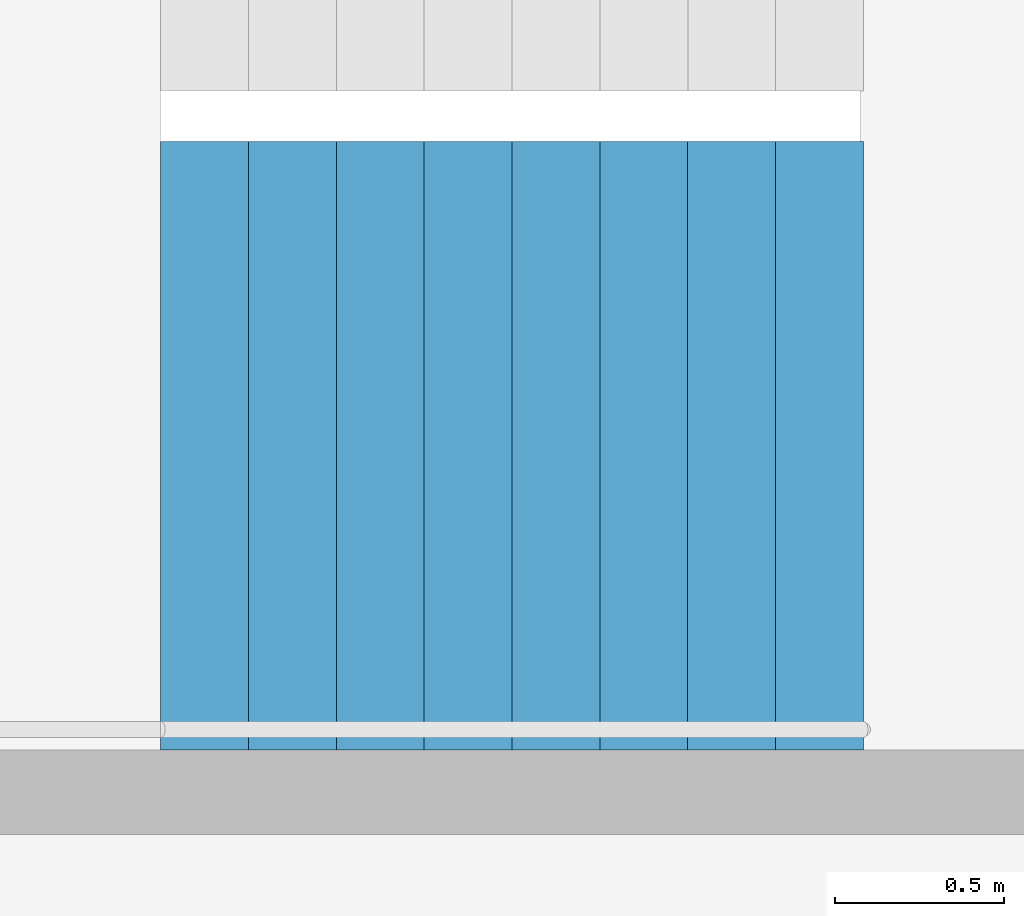
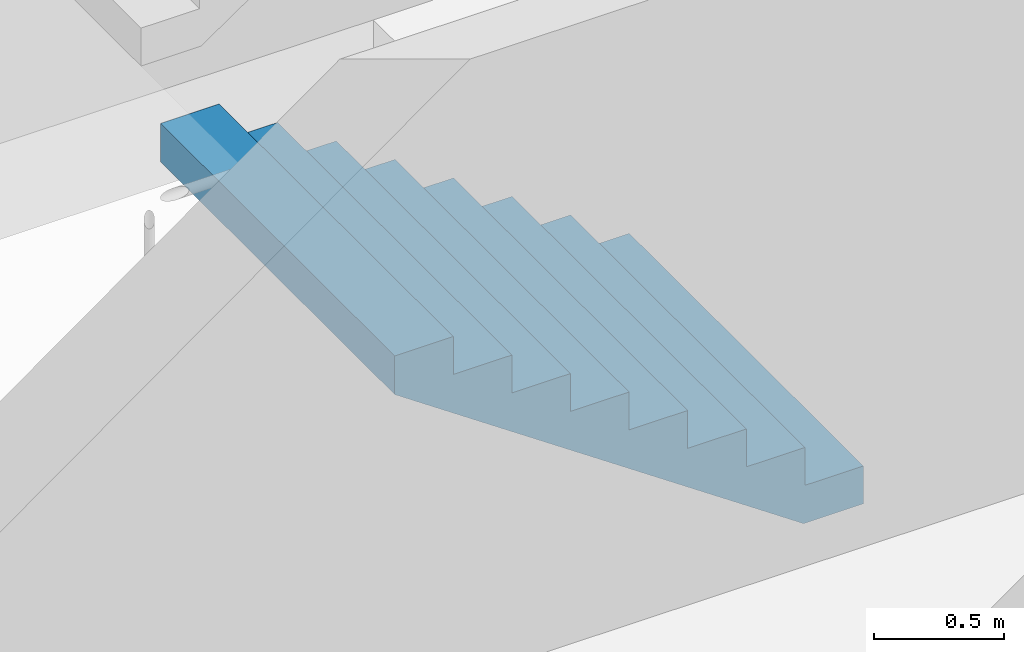
# One storey, part 24 of 26: 1 stair flight, 1 element without a shape of its own.
"""IFC4 building model written with IfcOpenShell, lengths in metres."""

from ifc_helpers import new_model, si_unit, direction, frame, origin, place, context, subcontext, project, spatial, triangles, material, type_object, element, aggregate, save


model = new_model("IFC4")

# Units and contexts
model_context = context("Model", 3, precision=1e-05, world=origin(), true_north=direction((0.0, 1.0)))
body_context = subcontext(model_context, "Body", "Model", "MODEL_VIEW")
ifc_project = project(units=[si_unit("LENGTHUNIT", "METRE"), si_unit("AREAUNIT", "SQUARE_METRE"), si_unit("VOLUMEUNIT", "CUBIC_METRE"), si_unit("PLANEANGLEUNIT", "RADIAN"), si_unit("MASSUNIT", "GRAM", prefix="KILO")], contexts=[model_context])

# Site, building, storey
site_placement = place(None, origin())
site = spatial("IfcSite", under=ifc_project, at=site_placement, CompositionType="ELEMENT")
building_placement = place(site_placement, origin())
building = spatial("IfcBuilding", under=site, at=building_placement, Name="Hakoniwa Tower and Hamabe Station Hall", CompositionType="ELEMENT")
storey_placement = place(building_placement, frame((0.0, 0.0, 172.60009765625)))
storey = spatial("IfcBuildingStorey", under=building, at=storey_placement, Name="L49", CompositionType="ELEMENT", Elevation=172.60009765625)

# Stair, stair flight
ifc_material_1 = material(Name="Concrete C40", Category="concrete")
stair_type = type_object("IfcStairType", Name="ESCAPE STAIR 1800", PredefinedType="HALF_TURN_STAIR", material=ifc_material_1)
stair_placement = place(storey_placement, origin())
stair = element("IfcStair", 1, at=stair_placement, inside=storey, type_object=stair_type, Name="Escape stair ST-3 L49", PredefinedType="HALF_TURN_STAIR")
ifc_material_2 = material(Name="Concrete C40", Category="concrete")
stair_flight_type = type_object("IfcStairFlightType", Name="STAIR FLIGHT 1800", PredefinedType="STRAIGHT", material=ifc_material_2)
stair_flight_placement = place(storey_placement, frame((24.39990234375, 4.64990234375, 0.0), z_axis=(0.0, 0.0, 1.0), x_axis=(-1.0, 0.0, 0.0)))
stair_flight = element("IfcStairFlight", 2, at=stair_flight_placement, type_object=stair_flight_type, Name="ST-3 flight 1", NumberOfRisers=9, NumberOfTreads=8, PredefinedType="STRAIGHT", RiserHeight=0.177777778, TreadLength=0.26, context=body_context, shape_type="Tessellation", body=[
    triangles([(0.0, 0.89990234375, 0.0), (0.260009765625, 0.89990234375, 0.0), (0.265625, 0.89990234375, 0.0), (0.52001953125, 0.89990234375, 0.174072265625), (0.780029296875, 0.89990234375, 0.351806640625), (1.0400390625, 0.89990234375, 0.529541015625), (1.300048828125, 0.89990234375, 0.707275390625), (1.56005859375, 0.89990234375, 0.885009765625), (1.820068359375, 0.89990234375, 1.062744140625), (2.080078125, 0.89990234375, 1.24072265625), (2.080078125, 0.89990234375, 1.422119140625), (1.820068359375, 0.89990234375, 1.422119140625), (1.820068359375, 0.89990234375, 1.244384765625), (1.56005859375, 0.89990234375, 1.244384765625), (1.56005859375, 0.89990234375, 1.066650390625), (1.300048828125, 0.89990234375, 1.066650390625), (1.300048828125, 0.89990234375, 0.888916015625), (1.0400390625, 0.89990234375, 0.888916015625), (1.0400390625, 0.89990234375, 0.711181640625), (0.780029296875, 0.89990234375, 0.711181640625), (0.780029296875, 0.89990234375, 0.533447265625), (0.52001953125, 0.89990234375, 0.533447265625), (0.52001953125, 0.89990234375, 0.35546875), (0.265625, 0.89990234375, 0.35546875), (0.260009765625, 0.89990234375, 0.35546875), (0.260009765625, 0.89990234375, 0.177734375), (0.0, 0.89990234375, 0.177734375), (0.0, 0.06005859375, 0.0), (0.260009765625, 0.06005859375, 0.0), (0.265625, 0.06005859375, 0.0), (0.52001953125, 0.06005859375, 0.174072265625), (0.780029296875, 0.06005859375, 0.351806640625), (1.0400390625, 0.06005859375, 0.529541015625), (1.300048828125, 0.06005859375, 0.707275390625), (1.56005859375, 0.06005859375, 0.885009765625), (1.820068359375, 0.06005859375, 1.062744140625), (2.080078125, 0.06005859375, 1.24072265625), (2.080078125, 0.06005859375, 1.422119140625), (1.820068359375, 0.06005859375, 1.422119140625), (1.820068359375, 0.06005859375, 1.244384765625), (1.56005859375, 0.06005859375, 1.244384765625), (1.56005859375, 0.06005859375, 1.066650390625), (1.300048828125, 0.06005859375, 1.066650390625), (1.300048828125, 0.06005859375, 0.888916015625), (1.0400390625, 0.06005859375, 0.888916015625), (1.0400390625, 0.06005859375, 0.711181640625), (0.780029296875, 0.06005859375, 0.711181640625), (0.780029296875, 0.06005859375, 0.533447265625), (0.52001953125, 0.06005859375, 0.533447265625), (0.52001953125, 0.06005859375, 0.35546875), (0.265625, 0.06005859375, 0.35546875), (0.260009765625, 0.06005859375, 0.35546875), (0.260009765625, 0.06005859375, 0.177734375), (0.0, 0.06005859375, 0.177734375), (0.0, 0.04296875, 0.0), (0.260009765625, 0.04296875, 0.0), (0.265625, 0.04296875, 0.0), (0.52001953125, 0.04296875, 0.174072265625), (0.780029296875, 0.04296875, 0.351806640625), (1.0400390625, 0.04296875, 0.529541015625), (1.300048828125, 0.04296875, 0.707275390625), (1.56005859375, 0.04296875, 0.885009765625), (1.820068359375, 0.04296875, 1.062744140625), (2.080078125, 0.04296875, 1.24072265625), (2.080078125, 0.04296875, 1.422119140625), (1.820068359375, 0.04296875, 1.422119140625), (1.820068359375, 0.04296875, 1.244384765625), (1.56005859375, 0.04296875, 1.244384765625), (1.56005859375, 0.04296875, 1.066650390625), (1.300048828125, 0.04296875, 1.066650390625), (1.300048828125, 0.04296875, 0.888916015625), (1.0400390625, 0.04296875, 0.888916015625), (1.0400390625, 0.04296875, 0.711181640625), (0.780029296875, 0.04296875, 0.711181640625), (0.780029296875, 0.04296875, 0.533447265625), (0.52001953125, 0.04296875, 0.533447265625), (0.52001953125, 0.04296875, 0.35546875), (0.265625, 0.04296875, 0.35546875), (0.260009765625, 0.04296875, 0.35546875), (0.260009765625, 0.04296875, 0.177734375), (0.0, 0.04296875, 0.177734375), (0.0, 0.025634765625, 0.0), (0.260009765625, 0.025634765625, 0.0), (0.265625, 0.025634765625, 0.0), (0.52001953125, 0.025634765625, 0.174072265625), (0.780029296875, 0.025634765625, 0.351806640625), (1.0400390625, 0.025634765625, 0.529541015625), (1.300048828125, 0.025634765625, 0.707275390625), (1.56005859375, 0.025634765625, 0.885009765625), (1.820068359375, 0.025634765625, 1.062744140625), (2.080078125, 0.025634765625, 1.24072265625), (2.080078125, 0.025634765625, 1.422119140625), (1.820068359375, 0.025634765625, 1.422119140625), (1.820068359375, 0.025634765625, 1.244384765625), (1.56005859375, 0.025634765625, 1.244384765625), (1.56005859375, 0.025634765625, 1.066650390625), (1.300048828125, 0.025634765625, 1.066650390625), (1.300048828125, 0.025634765625, 0.888916015625), (1.0400390625, 0.025634765625, 0.888916015625), (1.0400390625, 0.025634765625, 0.711181640625), (0.780029296875, 0.025634765625, 0.711181640625), (0.780029296875, 0.025634765625, 0.533447265625), (0.52001953125, 0.025634765625, 0.533447265625), (0.52001953125, 0.025634765625, 0.35546875), (0.265625, 0.025634765625, 0.35546875), (0.260009765625, 0.025634765625, 0.35546875), (0.260009765625, 0.025634765625, 0.177734375), (0.0, 0.025634765625, 0.177734375), (0.0, 0.008544921875, 0.0), (0.260009765625, 0.008544921875, 0.0), (0.265625, 0.008544921875, 0.0), (0.52001953125, 0.008544921875, 0.174072265625), (0.780029296875, 0.008544921875, 0.351806640625), (1.0400390625, 0.008544921875, 0.529541015625), (1.300048828125, 0.008544921875, 0.707275390625), (1.56005859375, 0.008544921875, 0.885009765625), (1.820068359375, 0.008544921875, 1.062744140625), (2.080078125, 0.008544921875, 1.24072265625), (2.080078125, 0.008544921875, 1.422119140625), (1.820068359375, 0.008544921875, 1.422119140625), (1.820068359375, 0.008544921875, 1.244384765625), (1.56005859375, 0.008544921875, 1.244384765625), (1.56005859375, 0.008544921875, 1.066650390625), (1.300048828125, 0.008544921875, 1.066650390625), (1.300048828125, 0.008544921875, 0.888916015625), (1.0400390625, 0.008544921875, 0.888916015625), (1.0400390625, 0.008544921875, 0.711181640625), (0.780029296875, 0.008544921875, 0.711181640625), (0.780029296875, 0.008544921875, 0.533447265625), (0.52001953125, 0.008544921875, 0.533447265625), (0.52001953125, 0.008544921875, 0.35546875), (0.265625, 0.008544921875, 0.35546875), (0.260009765625, 0.008544921875, 0.35546875), (0.260009765625, 0.008544921875, 0.177734375), (0.0, 0.008544921875, 0.177734375), (0.0, -0.008544921875, 0.0), (0.260009765625, -0.008544921875, 0.0), (0.265625, -0.008544921875, 0.0), (0.52001953125, -0.008544921875, 0.174072265625), (0.780029296875, -0.008544921875, 0.351806640625), (1.0400390625, -0.008544921875, 0.529541015625), (1.300048828125, -0.008544921875, 0.707275390625), (1.56005859375, -0.008544921875, 0.885009765625), (1.820068359375, -0.008544921875, 1.062744140625), (2.080078125, -0.008544921875, 1.24072265625), (2.080078125, -0.008544921875, 1.422119140625), (1.820068359375, -0.008544921875, 1.422119140625), (1.820068359375, -0.008544921875, 1.244384765625), (1.56005859375, -0.008544921875, 1.244384765625), (1.56005859375, -0.008544921875, 1.066650390625), (1.300048828125, -0.008544921875, 1.066650390625), (1.300048828125, -0.008544921875, 0.888916015625), (1.0400390625, -0.008544921875, 0.888916015625), (1.0400390625, -0.008544921875, 0.711181640625), (0.780029296875, -0.008544921875, 0.711181640625), (0.780029296875, -0.008544921875, 0.533447265625), (0.52001953125, -0.008544921875, 0.533447265625), (0.52001953125, -0.008544921875, 0.35546875), (0.265625, -0.008544921875, 0.35546875), (0.260009765625, -0.008544921875, 0.35546875), (0.260009765625, -0.008544921875, 0.177734375), (0.0, -0.008544921875, 0.177734375), (0.0, -0.025634765625, 0.0), (0.260009765625, -0.025634765625, 0.0), (0.265625, -0.025634765625, 0.0), (0.52001953125, -0.025634765625, 0.174072265625), (0.780029296875, -0.025634765625, 0.351806640625), (1.0400390625, -0.025634765625, 0.529541015625), (1.300048828125, -0.025634765625, 0.707275390625), (1.56005859375, -0.025634765625, 0.885009765625), (1.820068359375, -0.025634765625, 1.062744140625), (2.080078125, -0.025634765625, 1.24072265625), (2.080078125, -0.025634765625, 1.422119140625), (1.820068359375, -0.025634765625, 1.422119140625), (1.820068359375, -0.025634765625, 1.244384765625), (1.56005859375, -0.025634765625, 1.244384765625), (1.56005859375, -0.025634765625, 1.066650390625), (1.300048828125, -0.025634765625, 1.066650390625), (1.300048828125, -0.025634765625, 0.888916015625), (1.0400390625, -0.025634765625, 0.888916015625), (1.0400390625, -0.025634765625, 0.711181640625), (0.780029296875, -0.025634765625, 0.711181640625), (0.780029296875, -0.025634765625, 0.533447265625), (0.52001953125, -0.025634765625, 0.533447265625), (0.52001953125, -0.025634765625, 0.35546875), (0.265625, -0.025634765625, 0.35546875), (0.260009765625, -0.025634765625, 0.35546875), (0.260009765625, -0.025634765625, 0.177734375), (0.0, -0.025634765625, 0.177734375), (0.0, -0.04296875, 0.0), (0.260009765625, -0.04296875, 0.0), (0.265625, -0.04296875, 0.0), (0.52001953125, -0.04296875, 0.174072265625), (0.780029296875, -0.04296875, 0.351806640625), (1.0400390625, -0.04296875, 0.529541015625), (1.300048828125, -0.04296875, 0.707275390625), (1.56005859375, -0.04296875, 0.885009765625), (1.820068359375, -0.04296875, 1.062744140625), (2.080078125, -0.04296875, 1.24072265625), (2.080078125, -0.04296875, 1.422119140625), (1.820068359375, -0.04296875, 1.422119140625), (1.820068359375, -0.04296875, 1.244384765625), (1.56005859375, -0.04296875, 1.244384765625), (1.56005859375, -0.04296875, 1.066650390625), (1.300048828125, -0.04296875, 1.066650390625), (1.300048828125, -0.04296875, 0.888916015625), (1.0400390625, -0.04296875, 0.888916015625), (1.0400390625, -0.04296875, 0.711181640625), (0.780029296875, -0.04296875, 0.711181640625), (0.780029296875, -0.04296875, 0.533447265625), (0.52001953125, -0.04296875, 0.533447265625), (0.52001953125, -0.04296875, 0.35546875), (0.265625, -0.04296875, 0.35546875), (0.260009765625, -0.04296875, 0.35546875), (0.260009765625, -0.04296875, 0.177734375), (0.0, -0.04296875, 0.177734375), (0.0, -0.06005859375, 0.0), (0.260009765625, -0.06005859375, 0.0), (0.265625, -0.06005859375, 0.0), (0.52001953125, -0.06005859375, 0.174072265625), (0.780029296875, -0.06005859375, 0.351806640625), (1.0400390625, -0.06005859375, 0.529541015625), (1.300048828125, -0.06005859375, 0.707275390625), (1.56005859375, -0.06005859375, 0.885009765625), (1.820068359375, -0.06005859375, 1.062744140625), (2.080078125, -0.06005859375, 1.24072265625), (2.080078125, -0.06005859375, 1.422119140625), (1.820068359375, -0.06005859375, 1.422119140625), (1.820068359375, -0.06005859375, 1.244384765625), (1.56005859375, -0.06005859375, 1.244384765625), (1.56005859375, -0.06005859375, 1.066650390625), (1.300048828125, -0.06005859375, 1.066650390625), (1.300048828125, -0.06005859375, 0.888916015625), (1.0400390625, -0.06005859375, 0.888916015625), (1.0400390625, -0.06005859375, 0.711181640625), (0.780029296875, -0.06005859375, 0.711181640625), (0.780029296875, -0.06005859375, 0.533447265625), (0.52001953125, -0.06005859375, 0.533447265625), (0.52001953125, -0.06005859375, 0.35546875), (0.265625, -0.06005859375, 0.35546875), (0.260009765625, -0.06005859375, 0.35546875), (0.260009765625, -0.06005859375, 0.177734375), (0.0, -0.06005859375, 0.177734375), (0.0, -0.89990234375, 0.0), (0.260009765625, -0.89990234375, 0.0), (0.265625, -0.89990234375, 0.0), (0.52001953125, -0.89990234375, 0.174072265625), (0.780029296875, -0.89990234375, 0.351806640625), (1.0400390625, -0.89990234375, 0.529541015625), (1.300048828125, -0.89990234375, 0.707275390625), (1.56005859375, -0.89990234375, 0.885009765625), (1.820068359375, -0.89990234375, 1.062744140625), (2.080078125, -0.89990234375, 1.24072265625), (2.080078125, -0.89990234375, 1.422119140625), (1.820068359375, -0.89990234375, 1.422119140625), (1.820068359375, -0.89990234375, 1.244384765625), (1.56005859375, -0.89990234375, 1.244384765625), (1.56005859375, -0.89990234375, 1.066650390625), (1.300048828125, -0.89990234375, 1.066650390625), (1.300048828125, -0.89990234375, 0.888916015625), (1.0400390625, -0.89990234375, 0.888916015625), (1.0400390625, -0.89990234375, 0.711181640625), (0.780029296875, -0.89990234375, 0.711181640625), (0.780029296875, -0.89990234375, 0.533447265625), (0.52001953125, -0.89990234375, 0.533447265625), (0.52001953125, -0.89990234375, 0.35546875), (0.265625, -0.89990234375, 0.35546875), (0.260009765625, -0.89990234375, 0.35546875), (0.260009765625, -0.89990234375, 0.177734375), (0.0, -0.89990234375, 0.177734375)], [[2, 27, 26], [245, 269, 270], [2, 1, 27], [245, 270, 244], [3, 25, 24], [246, 267, 268], [3, 26, 25], [246, 268, 269], [3, 2, 26], [246, 269, 245], [4, 24, 23], [247, 266, 267], [4, 3, 24], [247, 267, 246], [5, 22, 21], [248, 264, 265], [5, 23, 22], [248, 265, 266], [5, 4, 23], [248, 266, 247], [6, 20, 19], [249, 262, 263], [6, 21, 20], [249, 263, 264], [6, 5, 21], [249, 264, 248], [7, 18, 17], [250, 260, 261], [7, 19, 18], [250, 261, 262], [7, 6, 19], [250, 262, 249], [8, 16, 15], [251, 258, 259], [8, 17, 16], [251, 259, 260], [8, 7, 17], [251, 260, 250], [9, 14, 13], [252, 256, 257], [9, 15, 14], [252, 257, 258], [9, 8, 15], [252, 258, 251], [10, 12, 11], [253, 254, 255], [10, 13, 12], [253, 255, 256], [10, 9, 13], [253, 256, 252], [1, 2, 29], [1, 29, 28], [28, 29, 56], [28, 56, 55], [55, 56, 83], [55, 83, 82], [82, 83, 110], [82, 110, 109], [109, 110, 137], [109, 137, 136], [136, 137, 164], [136, 164, 163], [163, 164, 191], [163, 191, 190], [190, 191, 218], [190, 218, 217], [217, 218, 245], [217, 245, 244], [2, 3, 30], [2, 30, 29], [29, 30, 57], [29, 57, 56], [56, 57, 84], [56, 84, 83], [83, 84, 111], [83, 111, 110], [110, 111, 138], [110, 138, 137], [137, 138, 165], [137, 165, 164], [164, 165, 192], [164, 192, 191], [191, 192, 219], [191, 219, 218], [218, 219, 246], [218, 246, 245], [3, 4, 31], [3, 31, 30], [30, 31, 58], [30, 58, 57], [57, 58, 85], [57, 85, 84], [84, 85, 112], [84, 112, 111], [111, 112, 139], [111, 139, 138], [138, 139, 166], [138, 166, 165], [165, 166, 193], [165, 193, 192], [192, 193, 220], [192, 220, 219], [219, 220, 247], [219, 247, 246], [4, 5, 32], [4, 32, 31], [31, 32, 59], [31, 59, 58], [58, 59, 86], [58, 86, 85], [85, 86, 113], [85, 113, 112], [112, 113, 140], [112, 140, 139], [139, 140, 167], [139, 167, 166], [166, 167, 194], [166, 194, 193], [193, 194, 221], [193, 221, 220], [220, 221, 248], [220, 248, 247], [5, 6, 33], [5, 33, 32], [32, 33, 60], [32, 60, 59], [59, 60, 87], [59, 87, 86], [86, 87, 114], [86, 114, 113], [113, 114, 141], [113, 141, 140], [140, 141, 168], [140, 168, 167], [167, 168, 195], [167, 195, 194], [194, 195, 222], [194, 222, 221], [221, 222, 249], [221, 249, 248], [6, 7, 34], [6, 34, 33], [33, 34, 61], [33, 61, 60], [60, 61, 88], [60, 88, 87], [87, 88, 115], [87, 115, 114], [114, 115, 142], [114, 142, 141], [141, 142, 169], [141, 169, 168], [168, 169, 196], [168, 196, 195], [195, 196, 223], [195, 223, 222], [222, 223, 250], [222, 250, 249], [7, 8, 35], [7, 35, 34], [34, 35, 62], [34, 62, 61], [61, 62, 89], [61, 89, 88], [88, 89, 116], [88, 116, 115], [115, 116, 143], [115, 143, 142], [142, 143, 170], [142, 170, 169], [169, 170, 197], [169, 197, 196], [196, 197, 224], [196, 224, 223], [223, 224, 251], [223, 251, 250], [8, 9, 36], [8, 36, 35], [35, 36, 63], [35, 63, 62], [62, 63, 90], [62, 90, 89], [89, 90, 117], [89, 117, 116], [116, 117, 144], [116, 144, 143], [143, 144, 171], [143, 171, 170], [170, 171, 198], [170, 198, 197], [197, 198, 225], [197, 225, 224], [224, 225, 252], [224, 252, 251], [9, 10, 37], [9, 37, 36], [36, 37, 64], [36, 64, 63], [63, 64, 91], [63, 91, 90], [90, 91, 118], [90, 118, 117], [117, 118, 145], [117, 145, 144], [144, 145, 172], [144, 172, 171], [171, 172, 199], [171, 199, 198], [198, 199, 226], [198, 226, 225], [225, 226, 253], [225, 253, 252], [10, 11, 38], [10, 38, 37], [37, 38, 65], [37, 65, 64], [64, 65, 92], [64, 92, 91], [91, 92, 119], [91, 119, 118], [118, 119, 146], [118, 146, 145], [145, 146, 173], [145, 173, 172], [172, 173, 200], [172, 200, 199], [199, 200, 227], [199, 227, 226], [226, 227, 254], [226, 254, 253], [11, 12, 39], [11, 39, 38], [38, 39, 66], [38, 66, 65], [65, 66, 93], [65, 93, 92], [92, 93, 120], [92, 120, 119], [119, 120, 147], [119, 147, 146], [146, 147, 174], [146, 174, 173], [173, 174, 201], [173, 201, 200], [200, 201, 228], [200, 228, 227], [227, 228, 255], [227, 255, 254], [12, 13, 40], [12, 40, 39], [39, 40, 67], [39, 67, 66], [66, 67, 94], [66, 94, 93], [93, 94, 121], [93, 121, 120], [120, 121, 148], [120, 148, 147], [147, 148, 175], [147, 175, 174], [174, 175, 202], [174, 202, 201], [201, 202, 229], [201, 229, 228], [228, 229, 256], [228, 256, 255], [13, 14, 41], [13, 41, 40], [40, 41, 68], [40, 68, 67], [67, 68, 95], [67, 95, 94], [94, 95, 122], [94, 122, 121], [121, 122, 149], [121, 149, 148], [148, 149, 176], [148, 176, 175], [175, 176, 203], [175, 203, 202], [202, 203, 230], [202, 230, 229], [229, 230, 257], [229, 257, 256], [14, 15, 42], [14, 42, 41], [41, 42, 69], [41, 69, 68], [68, 69, 96], [68, 96, 95], [95, 96, 123], [95, 123, 122], [122, 123, 150], [122, 150, 149], [149, 150, 177], [149, 177, 176], [176, 177, 204], [176, 204, 203], [203, 204, 231], [203, 231, 230], [230, 231, 258], [230, 258, 257], [15, 16, 43], [15, 43, 42], [42, 43, 70], [42, 70, 69], [69, 70, 97], [69, 97, 96], [96, 97, 124], [96, 124, 123], [123, 124, 151], [123, 151, 150], [150, 151, 178], [150, 178, 177], [177, 178, 205], [177, 205, 204], [204, 205, 232], [204, 232, 231], [231, 232, 259], [231, 259, 258], [16, 17, 44], [16, 44, 43], [43, 44, 71], [43, 71, 70], [70, 71, 98], [70, 98, 97], [97, 98, 125], [97, 125, 124], [124, 125, 152], [124, 152, 151], [151, 152, 179], [151, 179, 178], [178, 179, 206], [178, 206, 205], [205, 206, 233], [205, 233, 232], [232, 233, 260], [232, 260, 259], [17, 18, 45], [17, 45, 44], [44, 45, 72], [44, 72, 71], [71, 72, 99], [71, 99, 98], [98, 99, 126], [98, 126, 125], [125, 126, 153], [125, 153, 152], [152, 153, 180], [152, 180, 179], [179, 180, 207], [179, 207, 206], [206, 207, 234], [206, 234, 233], [233, 234, 261], [233, 261, 260], [18, 19, 46], [18, 46, 45], [45, 46, 73], [45, 73, 72], [72, 73, 100], [72, 100, 99], [99, 100, 127], [99, 127, 126], [126, 127, 154], [126, 154, 153], [153, 154, 181], [153, 181, 180], [180, 181, 208], [180, 208, 207], [207, 208, 235], [207, 235, 234], [234, 235, 262], [234, 262, 261], [19, 20, 47], [19, 47, 46], [46, 47, 74], [46, 74, 73], [73, 74, 101], [73, 101, 100], [100, 101, 128], [100, 128, 127], [127, 128, 155], [127, 155, 154], [154, 155, 182], [154, 182, 181], [181, 182, 209], [181, 209, 208], [208, 209, 236], [208, 236, 235], [235, 236, 263], [235, 263, 262], [20, 21, 48], [20, 48, 47], [47, 48, 75], [47, 75, 74], [74, 75, 102], [74, 102, 101], [101, 102, 129], [101, 129, 128], [128, 129, 156], [128, 156, 155], [155, 156, 183], [155, 183, 182], [182, 183, 210], [182, 210, 209], [209, 210, 237], [209, 237, 236], [236, 237, 264], [236, 264, 263], [21, 22, 49], [21, 49, 48], [48, 49, 76], [48, 76, 75], [75, 76, 103], [75, 103, 102], [102, 103, 130], [102, 130, 129], [129, 130, 157], [129, 157, 156], [156, 157, 184], [156, 184, 183], [183, 184, 211], [183, 211, 210], [210, 211, 238], [210, 238, 237], [237, 238, 265], [237, 265, 264], [22, 23, 50], [22, 50, 49], [49, 50, 77], [49, 77, 76], [76, 77, 104], [76, 104, 103], [103, 104, 131], [103, 131, 130], [130, 131, 158], [130, 158, 157], [157, 158, 185], [157, 185, 184], [184, 185, 212], [184, 212, 211], [211, 212, 239], [211, 239, 238], [238, 239, 266], [238, 266, 265], [23, 24, 51], [23, 51, 50], [50, 51, 78], [50, 78, 77], [77, 78, 105], [77, 105, 104], [104, 105, 132], [104, 132, 131], [131, 132, 159], [131, 159, 158], [158, 159, 186], [158, 186, 185], [185, 186, 213], [185, 213, 212], [212, 213, 240], [212, 240, 239], [239, 240, 267], [239, 267, 266], [24, 25, 52], [24, 52, 51], [51, 52, 79], [51, 79, 78], [78, 79, 106], [78, 106, 105], [105, 106, 133], [105, 133, 132], [132, 133, 160], [132, 160, 159], [159, 160, 187], [159, 187, 186], [186, 187, 214], [186, 214, 213], [213, 214, 241], [213, 241, 240], [240, 241, 268], [240, 268, 267], [25, 26, 53], [25, 53, 52], [52, 53, 80], [52, 80, 79], [79, 80, 107], [79, 107, 106], [106, 107, 134], [106, 134, 133], [133, 134, 161], [133, 161, 160], [160, 161, 188], [160, 188, 187], [187, 188, 215], [187, 215, 214], [214, 215, 242], [214, 242, 241], [241, 242, 269], [241, 269, 268], [26, 27, 54], [26, 54, 53], [53, 54, 81], [53, 81, 80], [80, 81, 108], [80, 108, 107], [107, 108, 135], [107, 135, 134], [134, 135, 162], [134, 162, 161], [161, 162, 189], [161, 189, 188], [188, 189, 216], [188, 216, 215], [215, 216, 243], [215, 243, 242], [242, 243, 270], [242, 270, 269], [27, 1, 28], [27, 28, 54], [54, 28, 55], [54, 55, 81], [81, 55, 82], [81, 82, 108], [108, 82, 109], [108, 109, 135], [135, 109, 136], [135, 136, 162], [162, 136, 163], [162, 163, 189], [189, 163, 190], [189, 190, 216], [216, 190, 217], [216, 217, 243], [243, 217, 244], [243, 244, 270]], closed=True),
])
aggregate(stair, [stair_flight])

save(model, "model.ifc")
